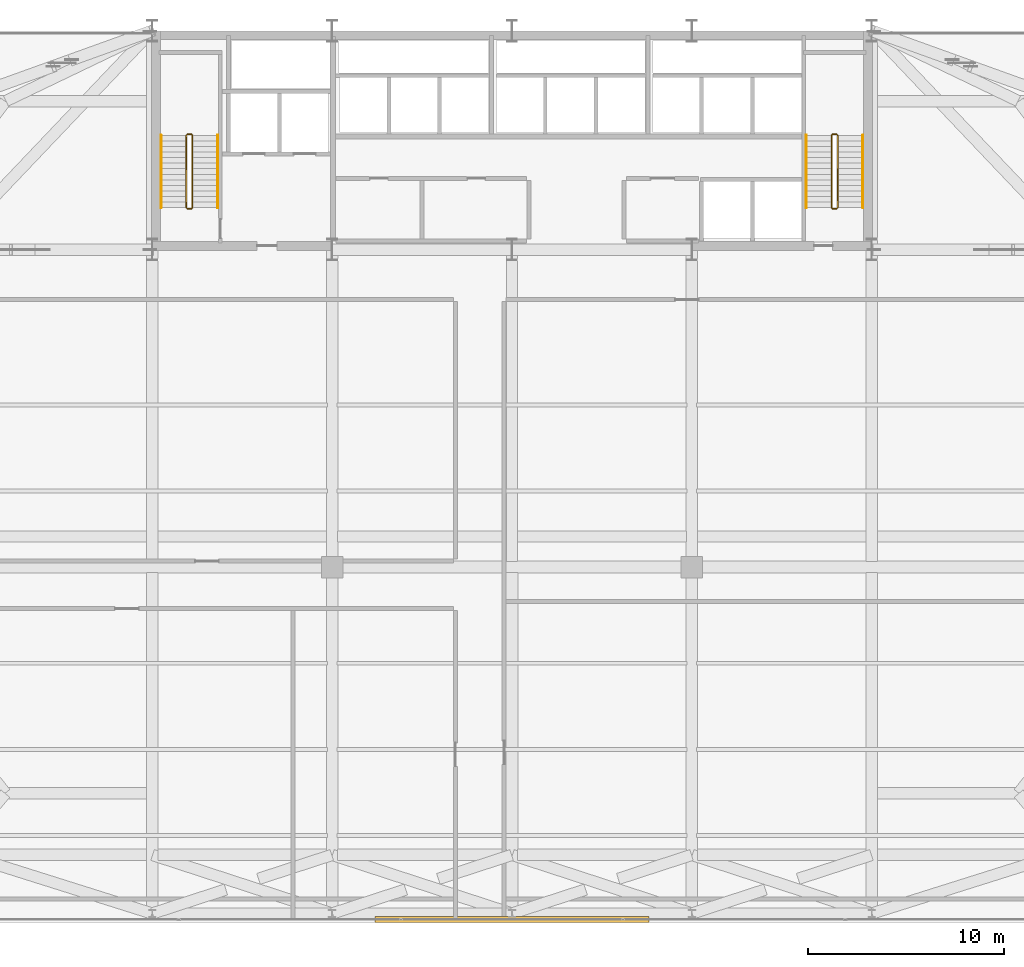
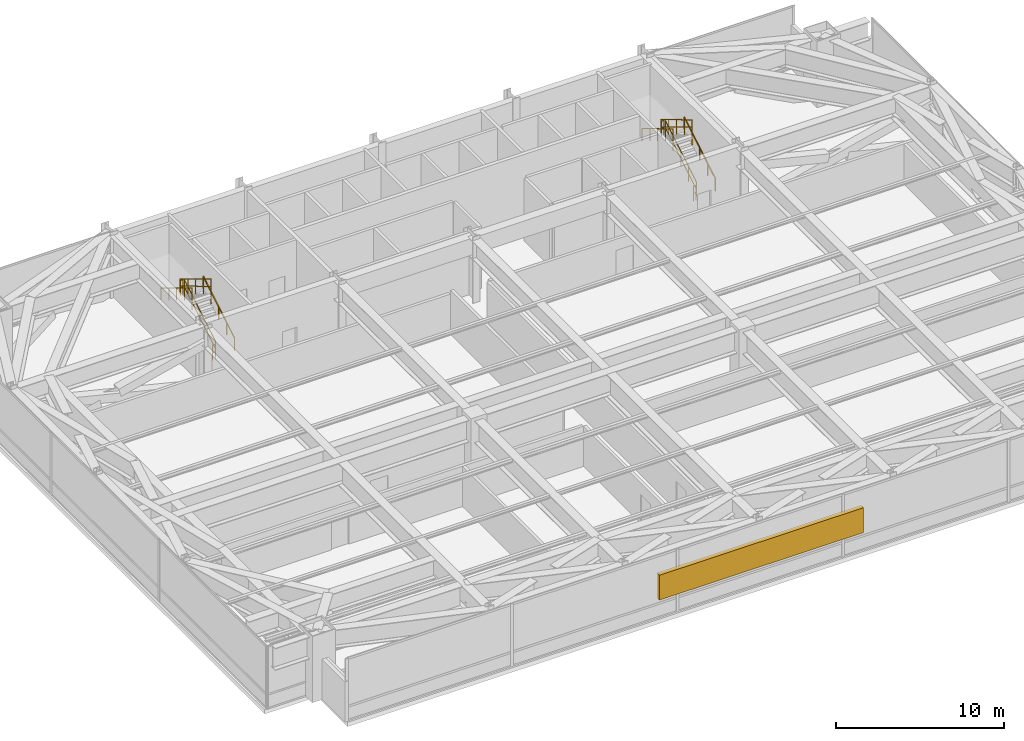
# One storey, part 30 of 30: 12 railings, 1 shading device.
"""IFC4 building model written with IfcOpenShell, lengths in metres."""

from ifc_helpers import new_model, si_unit, direction, frame, origin, origin_2d, place, context, subcontext, project, spatial, rectangle, extrude, source, transform, mapped, material, layer, layer_set, type_object, type_shapes, element, save


model = new_model("IFC4")

# Units and contexts
model_context = context("Model", 3, precision=1e-05, world=origin(), true_north=direction((0.0, 1.0)))
body_context = subcontext(model_context, "Body", "Model", "MODEL_VIEW")
ifc_project = project(units=[si_unit("LENGTHUNIT", "METRE"), si_unit("AREAUNIT", "SQUARE_METRE"), si_unit("VOLUMEUNIT", "CUBIC_METRE"), si_unit("PLANEANGLEUNIT", "RADIAN"), si_unit("MASSUNIT", "GRAM", prefix="KILO")], contexts=[model_context])

# Site, building, storey
site_placement = place(None, origin())
site = spatial("IfcSite", under=ifc_project, at=site_placement, CompositionType="ELEMENT")
building_placement = place(site_placement, origin())
building = spatial("IfcBuilding", under=site, at=building_placement, Name="Varnel Quay Broadcast Tower", CompositionType="ELEMENT")
storey_placement = place(building_placement, frame((0.0, 0.0, 82.199951171875)))
storey = spatial("IfcBuildingStorey", under=building, at=storey_placement, Name="L19", CompositionType="ELEMENT", Elevation=82.199951171875)

# Railings
ifc_material_1 = material(Name="Painted Steel Guard and Handrail CSA G40.21 350W", Category="steel")
railing_type_1 = type_object("IfcRailingType", Name="Rail_StairGuard1100", PredefinedType="GUARDRAIL", material=ifc_material_1)
railing_1_placement = place(storey_placement, frame((17.64990234375, 37.75, 0.17138671875)))
element("IfcRailing", 1, at=railing_1_placement, inside=storey, type_object=railing_type_1, Name="L19 ST-01 stair guard 1", PredefinedType="GUARDRAIL", context=body_context, shape_type="SweptSolid", body=[
    extrude(rectangle(XDim=0.048095703125, YDim=0.048095703125, at=origin_2d()), frame((0.0, 0.0, 1.076171875), z_axis=(0.0, 0.856909459561, 0.515466951525), x_axis=(-1.0, 0.0, 0.0)), (0.0, 0.0, 1.0), 4.32373046875),
    extrude(rectangle(XDim=0.048095703125, YDim=0.048095703125, at=origin_2d()), frame((0.0, 0.0, 0.550048828125), z_axis=(0.0, 0.856909459561, 0.515466951525), x_axis=(-1.0, 0.0, 0.0)), (0.0, 0.0, 1.0), 4.32373046875),
    extrude(rectangle(XDim=0.0419921875, YDim=0.0419921875, at=origin_2d()), origin(), (0.0, 0.0, 1.0), 1.052001953125),
    extrude(rectangle(XDim=0.0419921875, YDim=0.0419921875, at=origin_2d()), frame((0.0, 0.92626953125, 0.55712890625)), (0.0, 0.0, 1.0), 1.052001953125),
    extrude(rectangle(XDim=0.0419921875, YDim=0.0419921875, at=origin_2d()), frame((0.0, 1.8525390625, 1.1142578125)), (0.0, 0.0, 1.0), 1.052001953125),
    extrude(rectangle(XDim=0.0419921875, YDim=0.0419921875, at=origin_2d()), frame((0.0, 2.77880859375, 1.671630859375)), (0.0, 0.0, 1.0), 1.052001953125),
    extrude(rectangle(XDim=0.0419921875, YDim=0.0419921875, at=origin_2d()), frame((0.0, 3.705078125, 2.228759765625)), (0.0, 0.0, 1.0), 1.052001953125),
])
railing_2_placement = place(storey_placement, frame((17.60009765625, 41.5048828125, 2.400146484375)))
element("IfcRailing", 2, at=railing_2_placement, inside=storey, type_object=railing_type_1, Name="L19 ST-01 stair guard 2", PredefinedType="GUARDRAIL", context=body_context, shape_type="SweptSolid", body=[
    extrude(rectangle(XDim=0.048095703125, YDim=0.048095703125, at=origin_2d()), frame((0.0, 0.0, 1.076171875), z_axis=(-1.0, 0.0, 0.0), x_axis=(0.0, -1.0, 0.0)), (0.0, 0.0, 1.0), 0.2001953125),
    extrude(rectangle(XDim=0.048095703125, YDim=0.048095703125, at=origin_2d()), frame((0.0, 0.0, 0.550048828125), z_axis=(-1.0, 0.0, 0.0), x_axis=(0.0, -1.0, 0.0)), (0.0, 0.0, 1.0), 0.2001953125),
    extrude(rectangle(XDim=0.0419921875, YDim=0.0419921875, at=origin_2d()), origin(), (0.0, 0.0, 1.0), 1.052001953125),
    extrude(rectangle(XDim=0.0419921875, YDim=0.0419921875, at=origin_2d()), frame((-0.2001953125, 0.0, 0.0)), (0.0, 0.0, 1.0), 1.052001953125),
])
railing_3_placement = place(storey_placement, frame((17.35009765625, 41.455078125, 2.571533203125)))
element("IfcRailing", 3, at=railing_3_placement, inside=storey, type_object=railing_type_1, Name="L19 ST-01 stair guard 3", PredefinedType="GUARDRAIL", context=body_context, shape_type="SweptSolid", body=[
    extrude(rectangle(XDim=0.048095703125, YDim=0.048095703125, at=origin_2d()), frame((0.0, 0.0, 1.076171875), z_axis=(0.0, -0.856934400257, 0.515425487977), x_axis=(1.0, 0.0, 0.0)), (0.0, 0.0, 1.0), 4.32373046875),
    extrude(rectangle(XDim=0.048095703125, YDim=0.048095703125, at=origin_2d()), frame((0.0, 0.0, 0.550048828125), z_axis=(0.0, -0.856934400257, 0.515425487977), x_axis=(1.0, 0.0, 0.0)), (0.0, 0.0, 1.0), 4.32373046875),
    extrude(rectangle(XDim=0.0419921875, YDim=0.0419921875, at=origin_2d()), origin(), (0.0, 0.0, 1.0), 1.052001953125),
    extrude(rectangle(XDim=0.0419921875, YDim=0.0419921875, at=origin_2d()), frame((0.0, -0.92626953125, 0.55712890625)), (0.0, 0.0, 1.0), 1.052001953125),
    extrude(rectangle(XDim=0.0419921875, YDim=0.0419921875, at=origin_2d()), frame((0.0, -1.8525390625, 1.1142578125)), (0.0, 0.0, 1.0), 1.052001953125),
    extrude(rectangle(XDim=0.0419921875, YDim=0.0419921875, at=origin_2d()), frame((0.0, -2.77880859375, 1.67138671875)), (0.0, 0.0, 1.0), 1.052001953125),
    extrude(rectangle(XDim=0.0419921875, YDim=0.0419921875, at=origin_2d()), frame((0.0, -3.705078125, 2.228515625)), (0.0, 0.0, 1.0), 1.052001953125),
])
railing_4_placement = place(storey_placement, frame((17.60009765625, 37.699951171875, 0.0)))
element("IfcRailing", 4, at=railing_4_placement, inside=storey, type_object=railing_type_1, Name="L19 ST-01 stair guard 4", PredefinedType="GUARDRAIL", context=body_context, shape_type="SweptSolid", body=[
    extrude(rectangle(XDim=0.048095703125, YDim=0.048095703125, at=origin_2d()), frame((0.0, 0.0, 1.076171875), z_axis=(-1.0, 0.0, 0.0), x_axis=(0.0, -1.0, 0.0)), (0.0, 0.0, 1.0), 0.2001953125),
    extrude(rectangle(XDim=0.048095703125, YDim=0.048095703125, at=origin_2d()), frame((0.0, 0.0, 0.550048828125), z_axis=(-1.0, 0.0, 0.0), x_axis=(0.0, -1.0, 0.0)), (0.0, 0.0, 1.0), 0.2001953125),
    extrude(rectangle(XDim=0.0419921875, YDim=0.0419921875, at=origin_2d()), origin(), (0.0, 0.0, 1.0), 1.052001953125),
    extrude(rectangle(XDim=0.0419921875, YDim=0.0419921875, at=origin_2d()), frame((-0.2001953125, 0.0, 0.0)), (0.0, 0.0, 1.0), 1.052001953125),
])
railing_5_placement = place(storey_placement, frame((50.64990234375, 37.75, 0.17138671875)))
element("IfcRailing", 5, at=railing_5_placement, inside=storey, type_object=railing_type_1, Name="L19 ST-02 stair guard 1", PredefinedType="GUARDRAIL", context=body_context, shape_type="SweptSolid", body=[
    extrude(rectangle(XDim=0.048095703125, YDim=0.048095703125, at=origin_2d()), frame((0.0, 0.0, 1.076171875), z_axis=(0.0, 0.856909459561, 0.515466951525), x_axis=(-1.0, 0.0, 0.0)), (0.0, 0.0, 1.0), 4.32373046875),
    extrude(rectangle(XDim=0.048095703125, YDim=0.048095703125, at=origin_2d()), frame((0.0, 0.0, 0.550048828125), z_axis=(0.0, 0.856909459561, 0.515466951525), x_axis=(-1.0, 0.0, 0.0)), (0.0, 0.0, 1.0), 4.32373046875),
    extrude(rectangle(XDim=0.0419921875, YDim=0.0419921875, at=origin_2d()), origin(), (0.0, 0.0, 1.0), 1.052001953125),
    extrude(rectangle(XDim=0.0419921875, YDim=0.0419921875, at=origin_2d()), frame((0.0, 0.92626953125, 0.55712890625)), (0.0, 0.0, 1.0), 1.052001953125),
    extrude(rectangle(XDim=0.0419921875, YDim=0.0419921875, at=origin_2d()), frame((0.0, 1.8525390625, 1.1142578125)), (0.0, 0.0, 1.0), 1.052001953125),
    extrude(rectangle(XDim=0.0419921875, YDim=0.0419921875, at=origin_2d()), frame((0.0, 2.77880859375, 1.671630859375)), (0.0, 0.0, 1.0), 1.052001953125),
    extrude(rectangle(XDim=0.0419921875, YDim=0.0419921875, at=origin_2d()), frame((0.0, 3.705078125, 2.228759765625)), (0.0, 0.0, 1.0), 1.052001953125),
])
railing_6_placement = place(storey_placement, frame((50.60009765625, 41.5048828125, 2.400146484375)))
element("IfcRailing", 6, at=railing_6_placement, inside=storey, type_object=railing_type_1, Name="L19 ST-02 stair guard 2", PredefinedType="GUARDRAIL", context=body_context, shape_type="SweptSolid", body=[
    extrude(rectangle(XDim=0.048095703125, YDim=0.048095703125, at=origin_2d()), frame((0.0, 0.0, 1.076171875), z_axis=(-1.0, 0.0, 0.0), x_axis=(0.0, -1.0, 0.0)), (0.0, 0.0, 1.0), 0.2001953125),
    extrude(rectangle(XDim=0.048095703125, YDim=0.048095703125, at=origin_2d()), frame((0.0, 0.0, 0.550048828125), z_axis=(-1.0, 0.0, 0.0), x_axis=(0.0, -1.0, 0.0)), (0.0, 0.0, 1.0), 0.2001953125),
    extrude(rectangle(XDim=0.0419921875, YDim=0.0419921875, at=origin_2d()), origin(), (0.0, 0.0, 1.0), 1.052001953125),
    extrude(rectangle(XDim=0.0419921875, YDim=0.0419921875, at=origin_2d()), frame((-0.2001953125, 0.0, 0.0)), (0.0, 0.0, 1.0), 1.052001953125),
])
railing_7_placement = place(storey_placement, frame((50.35009765625, 41.455078125, 2.571533203125)))
element("IfcRailing", 7, at=railing_7_placement, inside=storey, type_object=railing_type_1, Name="L19 ST-02 stair guard 3", PredefinedType="GUARDRAIL", context=body_context, shape_type="SweptSolid", body=[
    extrude(rectangle(XDim=0.048095703125, YDim=0.048095703125, at=origin_2d()), frame((0.0, 0.0, 1.076171875), z_axis=(0.0, -0.856934400257, 0.515425487977), x_axis=(1.0, 0.0, 0.0)), (0.0, 0.0, 1.0), 4.32373046875),
    extrude(rectangle(XDim=0.048095703125, YDim=0.048095703125, at=origin_2d()), frame((0.0, 0.0, 0.550048828125), z_axis=(0.0, -0.856934400257, 0.515425487977), x_axis=(1.0, 0.0, 0.0)), (0.0, 0.0, 1.0), 4.32373046875),
    extrude(rectangle(XDim=0.0419921875, YDim=0.0419921875, at=origin_2d()), origin(), (0.0, 0.0, 1.0), 1.052001953125),
    extrude(rectangle(XDim=0.0419921875, YDim=0.0419921875, at=origin_2d()), frame((0.0, -0.92626953125, 0.55712890625)), (0.0, 0.0, 1.0), 1.052001953125),
    extrude(rectangle(XDim=0.0419921875, YDim=0.0419921875, at=origin_2d()), frame((0.0, -1.8525390625, 1.1142578125)), (0.0, 0.0, 1.0), 1.052001953125),
    extrude(rectangle(XDim=0.0419921875, YDim=0.0419921875, at=origin_2d()), frame((0.0, -2.77880859375, 1.67138671875)), (0.0, 0.0, 1.0), 1.052001953125),
    extrude(rectangle(XDim=0.0419921875, YDim=0.0419921875, at=origin_2d()), frame((0.0, -3.705078125, 2.228515625)), (0.0, 0.0, 1.0), 1.052001953125),
])
railing_8_placement = place(storey_placement, frame((50.60009765625, 37.699951171875, 0.0)))
element("IfcRailing", 8, at=railing_8_placement, inside=storey, type_object=railing_type_1, Name="L19 ST-02 stair guard 4", PredefinedType="GUARDRAIL", context=body_context, shape_type="SweptSolid", body=[
    extrude(rectangle(XDim=0.048095703125, YDim=0.048095703125, at=origin_2d()), frame((0.0, 0.0, 1.076171875), z_axis=(-1.0, 0.0, 0.0), x_axis=(0.0, -1.0, 0.0)), (0.0, 0.0, 1.0), 0.2001953125),
    extrude(rectangle(XDim=0.048095703125, YDim=0.048095703125, at=origin_2d()), frame((0.0, 0.0, 0.550048828125), z_axis=(-1.0, 0.0, 0.0), x_axis=(0.0, -1.0, 0.0)), (0.0, 0.0, 1.0), 0.2001953125),
    extrude(rectangle(XDim=0.0419921875, YDim=0.0419921875, at=origin_2d()), origin(), (0.0, 0.0, 1.0), 1.052001953125),
    extrude(rectangle(XDim=0.0419921875, YDim=0.0419921875, at=origin_2d()), frame((-0.2001953125, 0.0, 0.0)), (0.0, 0.0, 1.0), 1.052001953125),
])
railing_type_2 = type_object("IfcRailingType", Name="Rail_StairHandrail900", PredefinedType="HANDRAIL", material=ifc_material_1)
railing_9_placement = place(storey_placement, frame((18.949951171875, 37.75, 0.17138671875)))
element("IfcRailing", 9, at=railing_9_placement, inside=storey, type_object=railing_type_2, Name="L19 ST-01 stair handrail 1", PredefinedType="HANDRAIL", context=body_context, shape_type="SweptSolid", body=[
    extrude(rectangle(XDim=0.048095703125, YDim=0.048095703125, at=origin_2d()), frame((0.0, 0.0, 0.8759765625), z_axis=(0.0, 0.856909459561, 0.515466951525), x_axis=(-1.0, 0.0, 0.0)), (0.0, 0.0, 1.0), 4.32373046875),
    extrude(rectangle(XDim=0.0419921875, YDim=0.0419921875, at=origin_2d()), origin(), (0.0, 0.0, 1.0), 0.851806640625),
    extrude(rectangle(XDim=0.0419921875, YDim=0.0419921875, at=origin_2d()), frame((0.0, 0.92626953125, 0.55712890625)), (0.0, 0.0, 1.0), 0.851806640625),
    extrude(rectangle(XDim=0.0419921875, YDim=0.0419921875, at=origin_2d()), frame((0.0, 1.8525390625, 1.1142578125)), (0.0, 0.0, 1.0), 0.851806640625),
    extrude(rectangle(XDim=0.0419921875, YDim=0.0419921875, at=origin_2d()), frame((0.0, 2.77880859375, 1.671630859375)), (0.0, 0.0, 1.0), 0.851806640625),
    extrude(rectangle(XDim=0.0419921875, YDim=0.0419921875, at=origin_2d()), frame((0.0, 3.705078125, 2.228759765625)), (0.0, 0.0, 1.0), 0.851806640625),
])
railing_10_placement = place(storey_placement, frame((16.050048828125, 41.455078125, 2.571533203125)))
element("IfcRailing", 10, at=railing_10_placement, inside=storey, type_object=railing_type_2, Name="L19 ST-01 stair handrail 2", PredefinedType="HANDRAIL", context=body_context, shape_type="SweptSolid", body=[
    extrude(rectangle(XDim=0.048095703125, YDim=0.048095703125, at=origin_2d()), frame((0.0, 0.0, 0.8759765625), z_axis=(0.0, -0.856934400257, 0.515425487977), x_axis=(1.0, 0.0, 0.0)), (0.0, 0.0, 1.0), 4.32373046875),
    extrude(rectangle(XDim=0.0419921875, YDim=0.0419921875, at=origin_2d()), origin(), (0.0, 0.0, 1.0), 0.851806640625),
    extrude(rectangle(XDim=0.0419921875, YDim=0.0419921875, at=origin_2d()), frame((0.0, -0.92626953125, 0.55712890625)), (0.0, 0.0, 1.0), 0.851806640625),
    extrude(rectangle(XDim=0.0419921875, YDim=0.0419921875, at=origin_2d()), frame((0.0, -1.8525390625, 1.1142578125)), (0.0, 0.0, 1.0), 0.851806640625),
    extrude(rectangle(XDim=0.0419921875, YDim=0.0419921875, at=origin_2d()), frame((0.0, -2.77880859375, 1.67138671875)), (0.0, 0.0, 1.0), 0.851806640625),
    extrude(rectangle(XDim=0.0419921875, YDim=0.0419921875, at=origin_2d()), frame((0.0, -3.705078125, 2.228515625)), (0.0, 0.0, 1.0), 0.851806640625),
])
railing_11_placement = place(storey_placement, frame((51.949951171875, 37.75, 0.17138671875)))
element("IfcRailing", 11, at=railing_11_placement, inside=storey, type_object=railing_type_2, Name="L19 ST-02 stair handrail 1", PredefinedType="HANDRAIL", context=body_context, shape_type="SweptSolid", body=[
    extrude(rectangle(XDim=0.048095703125, YDim=0.048095703125, at=origin_2d()), frame((0.0, 0.0, 0.8759765625), z_axis=(0.0, 0.856909459561, 0.515466951525), x_axis=(-1.0, 0.0, 0.0)), (0.0, 0.0, 1.0), 4.32373046875),
    extrude(rectangle(XDim=0.0419921875, YDim=0.0419921875, at=origin_2d()), origin(), (0.0, 0.0, 1.0), 0.851806640625),
    extrude(rectangle(XDim=0.0419921875, YDim=0.0419921875, at=origin_2d()), frame((0.0, 0.92626953125, 0.55712890625)), (0.0, 0.0, 1.0), 0.851806640625),
    extrude(rectangle(XDim=0.0419921875, YDim=0.0419921875, at=origin_2d()), frame((0.0, 1.8525390625, 1.1142578125)), (0.0, 0.0, 1.0), 0.851806640625),
    extrude(rectangle(XDim=0.0419921875, YDim=0.0419921875, at=origin_2d()), frame((0.0, 2.77880859375, 1.671630859375)), (0.0, 0.0, 1.0), 0.851806640625),
    extrude(rectangle(XDim=0.0419921875, YDim=0.0419921875, at=origin_2d()), frame((0.0, 3.705078125, 2.228759765625)), (0.0, 0.0, 1.0), 0.851806640625),
])
railing_12_placement = place(storey_placement, frame((49.050048828125, 41.455078125, 2.571533203125)))
element("IfcRailing", 12, at=railing_12_placement, inside=storey, type_object=railing_type_2, Name="L19 ST-02 stair handrail 2", PredefinedType="HANDRAIL", context=body_context, shape_type="SweptSolid", body=[
    extrude(rectangle(XDim=0.048095703125, YDim=0.048095703125, at=origin_2d()), frame((0.0, 0.0, 0.8759765625), z_axis=(0.0, -0.856934400257, 0.515425487977), x_axis=(1.0, 0.0, 0.0)), (0.0, 0.0, 1.0), 4.32373046875),
    extrude(rectangle(XDim=0.0419921875, YDim=0.0419921875, at=origin_2d()), origin(), (0.0, 0.0, 1.0), 0.851806640625),
    extrude(rectangle(XDim=0.0419921875, YDim=0.0419921875, at=origin_2d()), frame((0.0, -0.92626953125, 0.55712890625)), (0.0, 0.0, 1.0), 0.851806640625),
    extrude(rectangle(XDim=0.0419921875, YDim=0.0419921875, at=origin_2d()), frame((0.0, -1.8525390625, 1.1142578125)), (0.0, 0.0, 1.0), 0.851806640625),
    extrude(rectangle(XDim=0.0419921875, YDim=0.0419921875, at=origin_2d()), frame((0.0, -2.77880859375, 1.67138671875)), (0.0, 0.0, 1.0), 0.851806640625),
    extrude(rectangle(XDim=0.0419921875, YDim=0.0419921875, at=origin_2d()), frame((0.0, -3.705078125, 2.228515625)), (0.0, 0.0, 1.0), 0.851806640625),
])

# Shading device
ifc_material_2 = material(Name="Anodised Bronze Aluminium 6063-T6", Category="aluminium")
ifc_layer = layer(ifc_material_2, 0.080078125, Name="Anodised Bronze Aluminium 6063-T6")
ifc_layer_set = layer_set([ifc_layer], Name="Anodised Bronze Aluminium 6063-T6")
shading_device_type = type_object("IfcShadingDeviceType", Name="Shade_PlantLouvre", PredefinedType="SHUTTER", material=ifc_layer_set)
shared_shape = source(origin(), body_context, "Body", "SweptSolid", [
    extrude(rectangle(XDim=14.0, YDim=0.300048828125, at=origin_2d()), origin(), (0.0, 0.0, 1.0), 1.800048828125),
])
type_shapes(shading_device_type, [shared_shape])
shading_device_placement = place(storey_placement, frame((34.0, 1.35009765625, 1.375), z_axis=(0.0, 0.0, 1.0), x_axis=(1.0, 0.0, 0.0)))
element("IfcShadingDevice", 13, at=shading_device_placement, inside=storey, type_object=shading_device_type, Name="L19 Mechanical Acoustic Louvre", PredefinedType="SHUTTER", context=body_context, shape_type="MappedRepresentation", body=[
    mapped(shared_shape, transform((0.0, 0.0, 0.0), x_axis=(1.0, 0.0, 0.0), y_axis=(0.0, 1.0, 0.0), z_axis=(0.0, 0.0, 1.0), scale=1.0)),
])

save(model, "model.ifc")
